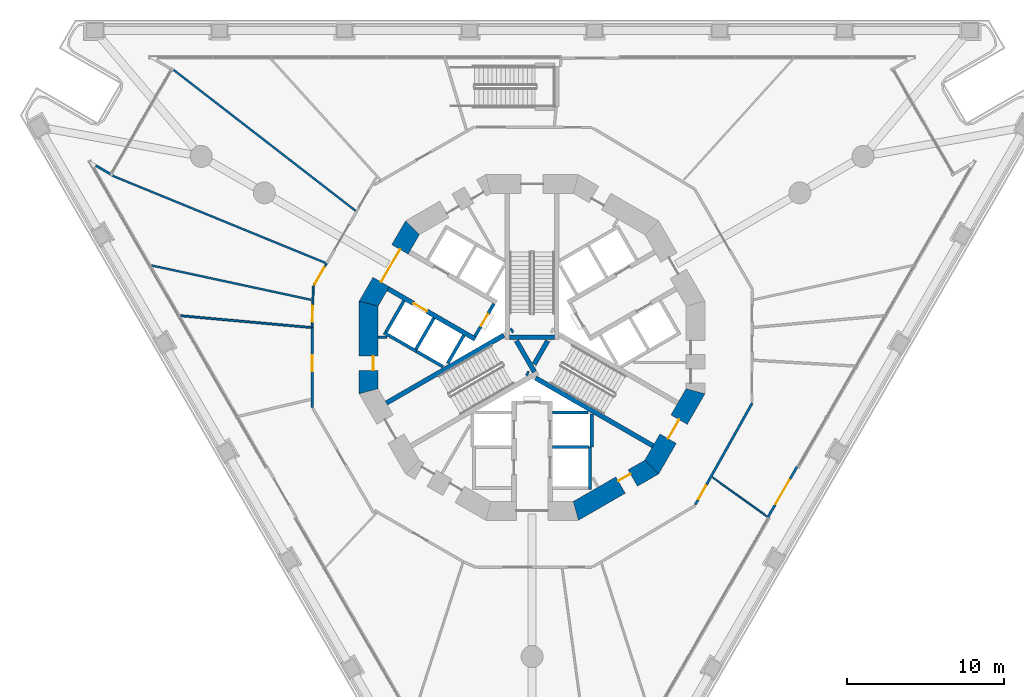
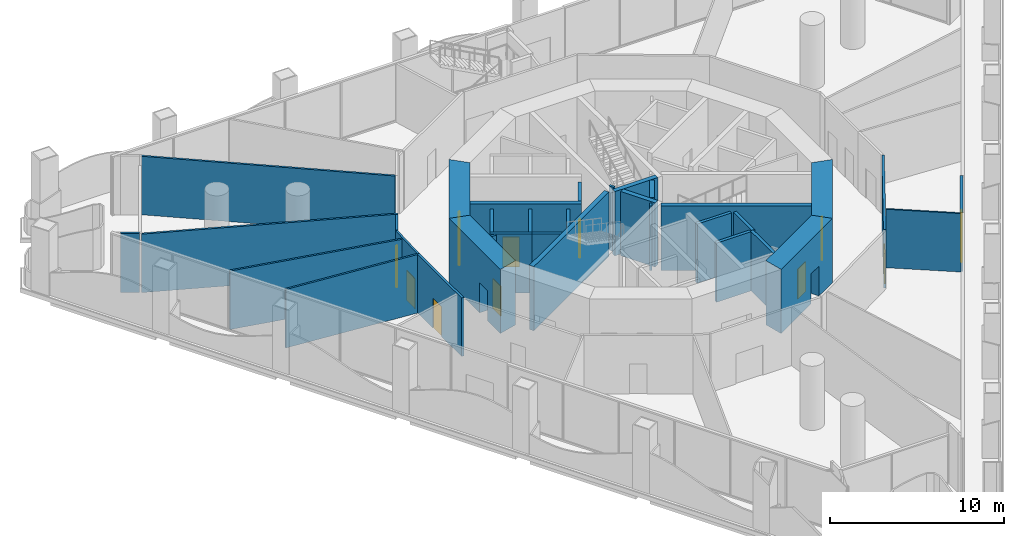
# One storey, part 11 of 22: 34 walls, 11 doors, 11 openings.
"""IFC4 building model written with IfcOpenShell, lengths in metres."""

from ifc_helpers import new_model, si_unit, direction, frame, frame_2d, origin, place, context, subcontext, project, spatial, polyline, rectangle, outline, extrude, material, layer, layer_set, type_object, element, fill, save


model = new_model("IFC4")

# Units and contexts
model_context = context("Model", 3, precision=1e-05, world=origin(), true_north=direction((0.0, 1.0)))
body_context = subcontext(model_context, "Body", "Model", "MODEL_VIEW")
ifc_project = project(units=[si_unit("LENGTHUNIT", "METRE"), si_unit("AREAUNIT", "SQUARE_METRE"), si_unit("VOLUMEUNIT", "CUBIC_METRE"), si_unit("PLANEANGLEUNIT", "RADIAN"), si_unit("MASSUNIT", "GRAM", prefix="KILO")], contexts=[model_context])

# Site, building, storey
site_placement = place(None, origin())
site = spatial("IfcSite", under=ifc_project, at=site_placement, CompositionType="ELEMENT")
building_placement = place(site_placement, origin())
building = spatial("IfcBuilding", under=site, at=building_placement, Name="Trine Commons Tower", CompositionType="ELEMENT")
storey_placement = place(building_placement, frame((0.0, 0.0, 22.5)))
storey = spatial("IfcBuildingStorey", under=building, at=storey_placement, Name="L04", CompositionType="ELEMENT", Elevation=22.5)

# Wall, opening, door
ifc_material_1 = material(Name="Plasterboard on steel stud", Category="steel")
ifc_layer_1 = layer(ifc_material_1, 0.14990234375)
ifc_layer_set_1 = layer_set([ifc_layer_1], Name="Plasterboard on steel stud")
wall_type_1 = type_object("IfcWallType", Name="Compartment wall 150 mm, EI 60", PredefinedType="PARTITIONING", material=ifc_layer_set_1)
wall_1_placement = place(storey_placement, frame((65.988525390625, 58.670654296875, 0.0), z_axis=(0.0, 0.0, 1.0), x_axis=(0.0, 1.0, 0.0)))
wall_1 = element("IfcWall", 1, at=wall_1_placement, inside=storey, type_object=wall_type_1, Name="Partition P4007", PredefinedType="PARTITIONING", context=body_context, shape_type="SweptSolid", body=[
    extrude(rectangle(XDim=5.0927734375, YDim=0.14990234375, at=frame_2d((2.54638671875, 0.0))), origin(), (0.0, 0.0, 1.0), 4.10009765625),
])
opening_1_placement = place(wall_1_placement, frame((2.31689453125, 0.0, 0.0)))
opening_1 = element("IfcOpeningElement", 2, at=opening_1_placement, cuts=wall_1, Name="Opening D-P401", PredefinedType="OPENING", context=body_context, shape_type="SweptSolid", body=[
    extrude(rectangle(XDim=1.0, YDim=2.10009765625, at=frame_2d((0.5, 1.050048828125))), frame((0.0, 0.0849609375, 0.0), z_axis=(0.0, -1.0, 0.0), x_axis=(1.0, 0.0, 0.0)), (0.0, 0.0, 1.0), 0.169921875),
])
ifc_material_2 = material(Name="Timber fire door set", Category="wood")
door_type_1 = type_object("IfcDoorType", Name="Single swing door 1000x2100, FD30S", OperationType="SINGLE_SWING_LEFT", PredefinedType="DOOR", material=ifc_material_2)
door_1_placement = place(opening_1_placement, origin())
door_1 = element("IfcDoor", 3, at=door_1_placement, inside=storey, type_object=door_type_1, Name="Door D-P401", OperationType="SINGLE_SWING_LEFT", OverallHeight=2.10009765625, OverallWidth=1.0, PredefinedType="DOOR", context=body_context, shape_type="SweptSolid", body=[
    extrude(rectangle(XDim=1.0, YDim=2.10009765625, at=frame_2d((0.5, 1.050048828125))), frame((0.0, 0.02490234375, 0.0), z_axis=(0.0, -1.0, 0.0), x_axis=(1.0, 0.0, 0.0)), (0.0, 0.0, 1.0), 0.050048828125),
])
fill(opening_1, door_1)

wall_2_placement = place(storey_placement, frame((94.023681640625, 58.95654296875, 0.0), z_axis=(0.0, 0.0, 1.0), x_axis=(-0.488869926634, -0.872356690141, 0.0)))
wall_2 = element("IfcWall", 4, at=wall_2_placement, inside=storey, type_object=wall_type_1, Name="Partition P4030", PredefinedType="PARTITIONING", context=body_context, shape_type="SweptSolid", body=[
    extrude(rectangle(XDim=7.41796875, YDim=0.14990234375, at=frame_2d((3.708984375, 0.0))), origin(), (0.0, 0.0, 1.0), 4.10009765625),
])
opening_2_placement = place(wall_2_placement, frame((6.025634765625, 0.0, 0.0)))
opening_2 = element("IfcOpeningElement", 5, at=opening_2_placement, cuts=wall_2, Name="Opening D-P413", PredefinedType="OPENING", context=body_context, shape_type="SweptSolid", body=[
    extrude(rectangle(XDim=1.0, YDim=2.10009765625, at=frame_2d((0.5, 1.050048828125))), frame((0.0, 0.0849609375, 0.0), z_axis=(0.0, -1.0, 0.0), x_axis=(1.0, 0.0, 0.0)), (0.0, 0.0, 1.0), 0.169921875),
])
door_2_placement = place(opening_2_placement, origin())
door_2 = element("IfcDoor", 6, at=door_2_placement, inside=storey, type_object=door_type_1, Name="Door D-P413", OperationType="SINGLE_SWING_LEFT", OverallHeight=2.10009765625, OverallWidth=1.0, PredefinedType="DOOR", context=body_context, shape_type="SweptSolid", body=[
    extrude(rectangle(XDim=1.0, YDim=2.10009765625, at=frame_2d((0.5, 1.050048828125))), frame((0.0, 0.02490234375, 0.0), z_axis=(0.0, -1.0, 0.0), x_axis=(1.0, 0.0, 0.0)), (0.0, 0.0, 1.0), 0.050048828125),
])
fill(opening_2, door_2)

# Wall
ifc_material_3 = material(Name="Plasterboard partition on steel studs", Category="steel")
ifc_layer_2 = layer(ifc_material_3, 0.14990234375)
ifc_layer_set_2 = layer_set([ifc_layer_2], Name="Plasterboard partition on steel studs")
wall_type_2 = type_object("IfcWallType", Name="Core room partition 150 mm, EI 60", PredefinedType="PARTITIONING", material=ifc_layer_set_2)
wall_3_placement = place(storey_placement, frame((70.18798828125, 63.14208984375, 0.0), z_axis=(0.0, 0.0, 1.0), x_axis=(1.0, 0.0, 0.0)))
element("IfcWall", 7, at=wall_3_placement, inside=storey, type_object=wall_type_2, Name="Core room partition L04", PredefinedType="PARTITIONING", context=body_context, shape_type="SweptSolid", body=[
    extrude(rectangle(XDim=0.571044921875, YDim=0.14990234375, at=frame_2d((0.28564453125, 0.0))), origin(), (0.0, 0.0, 1.0), 4.14990234375),
])

# Wall, opening, door
ifc_material_4 = material(Name="Aluminium-framed insulated wall panel", Category="aluminium")
ifc_layer_3 = layer(ifc_material_4, 0.14990234375)
ifc_layer_set_3 = layer_set([ifc_layer_3], Name="Aluminium-framed insulated wall panel")
wall_type_3 = type_object("IfcWallType", Name="Glazed entrance wall 150, EI 60", PredefinedType="SOLIDWALL", material=ifc_layer_set_3)
wall_4_placement = place(storey_placement, frame((96.876708984375, 54.89208984375, 0.0), z_axis=(0.0, 0.0, 1.0), x_axis=(-0.500029062817, -0.866008623709, 0.0)))
wall_4 = element("IfcWall", 8, at=wall_4_placement, inside=storey, type_object=wall_type_3, Name="Glazed entrance wall L04 F2 7", PredefinedType="SOLIDWALL", context=body_context, shape_type="SweptSolid", body=[
    extrude(rectangle(XDim=3.698974609375, YDim=0.14990234375, at=frame_2d((1.849609375, 0.0))), origin(), (0.0, 0.0, 1.0), 4.14990234375),
])
opening_3_placement = place(wall_4_placement, frame((0.949462890625, 0.0, 0.0)))
opening_3 = element("IfcOpeningElement", 9, at=opening_3_placement, cuts=wall_4, Name="Opening SD-L04-F2-07", PredefinedType="OPENING", context=body_context, shape_type="SweptSolid", body=[
    extrude(rectangle(XDim=1.800048828125, YDim=2.39990234375, at=frame_2d((0.89990234375, 1.199951171875))), frame((0.0, 0.0849609375, 0.0), z_axis=(0.0, -1.0, 0.0), x_axis=(1.0, 0.0, 0.0)), (0.0, 0.0, 1.0), 0.169921875),
])
ifc_material_5 = material(Name="Anodised aluminium frame with double glazing", Category="aluminium")
door_type_2 = type_object("IfcDoorType", Name="Sliding double door 1800x2400", OperationType="DOUBLE_DOOR_SLIDING", PredefinedType="DOOR", material=ifc_material_5)
door_3_placement = place(opening_3_placement, origin())
door_3 = element("IfcDoor", 10, at=door_3_placement, inside=storey, type_object=door_type_2, Name="Loggia door L04 F2 7", OperationType="DOUBLE_DOOR_SLIDING", OverallHeight=2.39990234375, OverallWidth=1.800048828125, PredefinedType="DOOR", context=body_context, shape_type="SweptSolid", body=[
    extrude(rectangle(XDim=1.800048828125, YDim=2.39990234375, at=frame_2d((0.89990234375, 1.199951171875))), frame((0.0, 0.02490234375, 0.0), z_axis=(0.0, -1.0, 0.0), x_axis=(1.0, 0.0, 0.0)), (0.0, 0.0, 1.0), 0.050048828125),
])
fill(opening_3, door_3)

# Wall
ifc_layer_4 = layer(ifc_material_4, 0.14990234375)
ifc_layer_set_4 = layer_set([ifc_layer_4], Name="Aluminium-framed insulated wall panel")
wall_type_4 = type_object("IfcWallType", Name="Glazed frame wall 150, EI 60", PredefinedType="SOLIDWALL", material=ifc_layer_set_4)
wall_5_placement = place(storey_placement, frame((52.074462890625, 74.159912109375, 0.0), z_axis=(0.0, 0.0, 1.0), x_axis=(0.865989100438, -0.500062873969, 0.0)))
element("IfcWall", 11, at=wall_5_placement, inside=storey, type_object=wall_type_4, Name="Glazed frame wall L04 R1", PredefinedType="SOLIDWALL", context=body_context, shape_type="SweptSolid", body=[
    extrude(outline(polyline([(0.1494140625, 0.074951171875), (0.1494140625, -0.074951171875), (1.235107421875, -0.074951171875), (1.235107421875, 0.074951171875), (0.1494140625, 0.074951171875)])), origin(), (0.0, 0.0, 1.0), 4.14990234375),
])

# Wall, opening, door
ifc_material_6 = material(Name="Fire-rated gypsum shaft wall system")
ifc_layer_5 = layer(ifc_material_6, 0.199951171875)
ifc_layer_set_5 = layer_set([ifc_layer_5], Name="Fire-rated gypsum shaft wall system")
wall_type_5 = type_object("IfcWallType", Name="Lobby end wall 200 mm, EI 120", PredefinedType="PARTITIONING", material=ifc_layer_set_5)
wall_6_placement = place(storey_placement, frame((77.569091796875, 65.2890625, 0.0), z_axis=(0.0, 0.0, 1.0), x_axis=(-0.50012165622, -0.865955154139, 0.0)))
wall_6 = element("IfcWall", 12, at=wall_6_placement, inside=storey, type_object=wall_type_5, Name="Lobby end wall L04", PredefinedType="PARTITIONING", context=body_context, shape_type="SweptSolid", body=[
    extrude(rectangle(XDim=2.39990234375, YDim=0.199951171875, at=frame_2d((1.199951171875, 0.0))), origin(), (0.0, 0.0, 1.0), 4.14990234375),
])
opening_4_placement = place(wall_6_placement, frame((0.749755859375, 0.0, 0.0)))
opening_4 = element("IfcOpeningElement", 13, at=opening_4_placement, cuts=wall_6, Name="Opening K07.07", PredefinedType="OPENING", context=body_context, shape_type="SweptSolid", body=[
    extrude(rectangle(XDim=0.89990234375, YDim=2.10009765625, at=frame_2d((0.449951171875, 1.050048828125))), frame((0.0, 0.10986328125, 0.0), z_axis=(0.0, -1.0, 0.0), x_axis=(1.0, 0.0, 0.0)), (0.0, 0.0, 1.0), 0.219970703125),
])
ifc_material_7 = material(Name="Steel door leaf, fire-rated", Category="steel")
door_type_3 = type_object("IfcDoorType", Name="Riser access door, single leaf 900 x 2100, FD60", OperationType="SINGLE_SWING_LEFT", PredefinedType="DOOR", material=ifc_material_7)
door_4_placement = place(opening_4_placement, frame((0.89990234375, 0.0, 0.0), z_axis=(0.0, 0.0, 1.0), x_axis=(-1.0, 0.0, 0.0)))
door_4 = element("IfcDoor", 14, at=door_4_placement, inside=storey, type_object=door_type_3, Name="Riser door, Mechanical riser L04", OperationType="SINGLE_SWING_RIGHT", OverallHeight=2.10009765625, OverallWidth=0.89990234375, PredefinedType="DOOR", context=body_context, shape_type="SweptSolid", body=[
    extrude(rectangle(XDim=0.89990234375, YDim=2.10009765625, at=frame_2d((0.449951171875, 1.050048828125))), frame((0.0, 0.02490234375, 0.0), z_axis=(0.0, -1.0, 0.0), x_axis=(1.0, 0.0, 0.0)), (0.0, 0.0, 1.0), 0.050048828125),
])
fill(opening_4, door_4)

# Wall
ifc_layer_6 = layer(ifc_material_1, 0.10009765625)
ifc_layer_set_6 = layer_set([ifc_layer_6], Name="Plasterboard on steel stud")
wall_type_6 = type_object("IfcWallType", Name="Partition wall 100 mm stud, not rated", PredefinedType="PARTITIONING", material=ifc_layer_set_6)
wall_7_placement = place(storey_placement, frame((91.494873046875, 54.226806640625, 0.0), z_axis=(0.0, 0.0, 1.0), x_axis=(0.811652375568, -0.584140754643, 0.0)))
element("IfcWall", 15, at=wall_7_placement, inside=storey, type_object=wall_type_6, Name="Partition P4032", PredefinedType="PARTITIONING", context=body_context, shape_type="SweptSolid", body=[
    extrude(rectangle(XDim=4.31494140625, YDim=0.10009765625, at=frame_2d((2.157470703125, 0.0))), origin(), (0.0, 0.0, 1.0), 4.10009765625),
])

# Wall, opening, door
ifc_material_8 = material(Name="Concrete C80/95", Category="concrete")
ifc_layer_7 = layer(ifc_material_8, 1.199951171875)
ifc_layer_set_7 = layer_set([ifc_layer_7], Name="Concrete C80/95")
wall_type_7 = type_object("IfcWallType", Name="RC shear wall 1200 mm, C80/95", PredefinedType="SHEAR", material=ifc_layer_set_7)
wall_8_placement = place(storey_placement, frame((72.45849609375, 70.260986328125, 0.0), z_axis=(0.0, 0.0, 1.0), x_axis=(-0.499979111662, -0.866037463336, 0.0)))
wall_8 = element("IfcWall", 16, at=wall_8_placement, inside=storey, type_object=wall_type_7, Name="Core wall CWA-06 L04", PredefinedType="SHEAR", context=body_context, shape_type="SweptSolid", body=[
    extrude(outline(polyline([(0.0, -0.60009765625), (5.901123046875, -0.60009765625), (5.57958984375, 0.60009765625), (0.321533203125, 0.60009765625), (0.0, -0.60009765625)])), origin(), (0.0, 0.0, 1.0), 4.5),
])
opening_5_placement = place(wall_8_placement, frame((1.75048828125, 0.0, 0.0)))
opening_5 = element("IfcOpeningElement", 17, at=opening_5_placement, cuts=wall_8, Name="Opening K07.06", PredefinedType="OPENING", context=body_context, shape_type="SweptSolid", body=[
    extrude(rectangle(XDim=2.39990234375, YDim=2.10009765625, at=frame_2d((1.199951171875, 1.050048828125))), frame((0.0, 0.60986328125, 0.0), z_axis=(0.0, -1.0, 0.0), x_axis=(1.0, 0.0, 0.0)), (0.0, 0.0, 1.0), 1.219970703125),
])
ifc_material_9 = material(Name="Steel door leaves, fire-rated", Category="steel")
door_type_4 = type_object("IfcDoorType", Name="Lobby door, double leaf 2400 x 2100, FD60", OperationType="DOUBLE_DOOR_SINGLE_SWING", PredefinedType="DOOR", material=ifc_material_9)
door_5_placement = place(opening_5_placement, origin())
door_5 = element("IfcDoor", 18, at=door_5_placement, inside=storey, type_object=door_type_4, Name="Lobby door, Passenger lift lobby B L04", OperationType="DOUBLE_DOOR_SINGLE_SWING", OverallHeight=2.10009765625, OverallWidth=2.39990234375, PredefinedType="DOOR", context=body_context, shape_type="SweptSolid", body=[
    extrude(rectangle(XDim=2.39990234375, YDim=2.10009765625, at=frame_2d((1.199951171875, 1.050048828125))), frame((0.0, 0.02490234375, 0.0), z_axis=(0.0, -1.0, 0.0), x_axis=(1.0, 0.0, 0.0)), (0.0, 0.0, 1.0), 0.050048828125),
])
fill(opening_5, door_5)

wall_9_placement = place(storey_placement, frame((69.58837890625, 65.450439453125, 0.0), z_axis=(0.0, 0.0, 1.0), x_axis=(0.0, -1.0, 0.0)))
wall_9 = element("IfcWall", 19, at=wall_9_placement, inside=storey, type_object=wall_type_7, Name="Core wall CWA-07 L04", PredefinedType="SHEAR", context=body_context, shape_type="SweptSolid", body=[
    extrude(outline(polyline([(0.0, -0.60009765625), (5.90087890625, -0.60009765625), (5.57958984375, 0.60009765625), (0.321533203125, 0.60009765625), (0.0, -0.60009765625)])), origin(), (0.0, 0.0, 1.0), 4.5),
])
opening_6_placement = place(wall_9_placement, frame((3.508544921875, 0.0, 0.0)))
opening_6 = element("IfcOpeningElement", 20, at=opening_6_placement, cuts=wall_9, Name="Opening K07.14", PredefinedType="OPENING", context=body_context, shape_type="SweptSolid", body=[
    extrude(rectangle(XDim=0.89990234375, YDim=2.10009765625, at=frame_2d((0.449951171875, 1.050048828125))), frame((0.0, 0.60986328125, 0.0), z_axis=(0.0, -1.0, 0.0), x_axis=(1.0, 0.0, 0.0)), (0.0, 0.0, 1.0), 1.219970703125),
])
door_type_5 = type_object("IfcDoorType", Name="Core room door, single leaf 900 x 2100, FD30S", OperationType="SINGLE_SWING_LEFT", PredefinedType="DOOR", material=ifc_material_7)
door_6_placement = place(opening_6_placement, origin())
door_6 = element("IfcDoor", 21, at=door_6_placement, inside=storey, type_object=door_type_5, Name="Door to Print room L04", OperationType="SINGLE_SWING_RIGHT", OverallHeight=2.10009765625, OverallWidth=0.89990234375, PredefinedType="DOOR", context=body_context, shape_type="SweptSolid", body=[
    extrude(rectangle(XDim=0.89990234375, YDim=2.10009765625, at=frame_2d((0.449951171875, 1.050048828125))), frame((0.0, 0.3251953125, 0.0), z_axis=(0.0, -1.0, 0.0), x_axis=(1.0, 0.0, 0.0)), (0.0, 0.0, 1.0), 0.050048828125),
])
fill(opening_6, door_6)

wall_10_placement = place(storey_placement, frame((82.650390625, 52.008056640625, 0.0), z_axis=(0.0, 0.0, 1.0), x_axis=(0.866037463336, 0.499979111662, 0.0)))
wall_10 = element("IfcWall", 22, at=wall_10_placement, inside=storey, type_object=wall_type_7, Name="Core wall CWA-11 L04", PredefinedType="SHEAR", context=body_context, shape_type="SweptSolid", body=[
    extrude(outline(polyline([(0.0, -0.60009765625), (5.901123046875, -0.60009765625), (5.57958984375, 0.60009765625), (0.321533203125, 0.60009765625), (0.0, -0.60009765625)])), origin(), (0.0, 0.0, 1.0), 4.5),
])
opening_7_placement = place(wall_10_placement, frame((3.44677734375, 0.0, 0.0)))
opening_7 = element("IfcOpeningElement", 23, at=opening_7_placement, cuts=wall_10, Name="Opening K07.17", PredefinedType="OPENING", context=body_context, shape_type="SweptSolid", body=[
    extrude(rectangle(XDim=0.89990234375, YDim=2.10009765625, at=frame_2d((0.449951171875, 1.050048828125))), frame((0.0, 0.60986328125, 0.0), z_axis=(0.0, -1.0, 0.0), x_axis=(1.0, 0.0, 0.0)), (0.0, 0.0, 1.0), 1.219970703125),
])
door_7_placement = place(opening_7_placement, origin())
door_7 = element("IfcDoor", 24, at=door_7_placement, inside=storey, type_object=door_type_5, Name="Door to Pantry L04", OperationType="SINGLE_SWING_RIGHT", OverallHeight=2.10009765625, OverallWidth=0.89990234375, PredefinedType="DOOR", context=body_context, shape_type="SweptSolid", body=[
    extrude(rectangle(XDim=0.89990234375, YDim=2.10009765625, at=frame_2d((0.449951171875, 1.050048828125))), frame((0.0, 0.3251953125, 0.0), z_axis=(0.0, -1.0, 0.0), x_axis=(1.0, 0.0, 0.0)), (0.0, 0.0, 1.0), 0.050048828125),
])
fill(opening_7, door_7)

wall_11_placement = place(storey_placement, frame((87.54150390625, 54.739013671875, 0.0), z_axis=(0.0, 0.0, 1.0), x_axis=(0.499979111662, 0.866037463336, 0.0)))
wall_11 = element("IfcWall", 25, at=wall_11_placement, inside=storey, type_object=wall_type_7, Name="Core wall CWA-12 L04", PredefinedType="SHEAR", context=body_context, shape_type="SweptSolid", body=[
    extrude(outline(polyline([(0.0, -0.60009765625), (5.901123046875, -0.60009765625), (5.57958984375, 0.60009765625), (0.321533203125, 0.60009765625), (0.0, -0.60009765625)])), origin(), (0.0, 0.0, 1.0), 4.5),
])
opening_8_placement = place(wall_11_placement, frame((2.25048828125, 0.0, 0.0)))
opening_8 = element("IfcOpeningElement", 26, at=opening_8_placement, cuts=wall_11, Name="Opening K07.03", PredefinedType="OPENING", context=body_context, shape_type="SweptSolid", body=[
    extrude(rectangle(XDim=1.39990234375, YDim=2.10009765625, at=frame_2d((0.699951171875, 1.050048828125))), frame((0.0, 0.60986328125, 0.0), z_axis=(0.0, -1.0, 0.0), x_axis=(1.0, 0.0, 0.0)), (0.0, 0.0, 1.0), 1.219970703125),
])
door_type_6 = type_object("IfcDoorType", Name="Stair door, double leaf 1400 x 2100, FD90", OperationType="DOUBLE_DOOR_SINGLE_SWING", PredefinedType="DOOR", material=ifc_material_9)
door_8_placement = place(opening_8_placement, origin())
door_8 = element("IfcDoor", 27, at=door_8_placement, inside=storey, type_object=door_type_6, Name="Stair door to Exit stair ST3A L04", OperationType="DOUBLE_DOOR_SINGLE_SWING", OverallHeight=2.10009765625, OverallWidth=1.39990234375, PredefinedType="DOOR", context=body_context, shape_type="SweptSolid", body=[
    extrude(rectangle(XDim=1.39990234375, YDim=2.10009765625, at=frame_2d((0.699951171875, 1.050048828125))), frame((0.0, 0.02490234375, 0.0), z_axis=(0.0, -1.0, 0.0), x_axis=(1.0, 0.0, 0.0)), (0.0, 0.0, 1.0), 0.050048828125),
])
fill(opening_8, door_8)

ifc_layer_8 = layer(ifc_material_8, 0.300048828125)
ifc_layer_set_8 = layer_set([ifc_layer_8], Name="Concrete C80/95")
wall_type_8 = type_object("IfcWallType", Name="RC shear wall 300 mm, C80/95", PredefinedType="SHEAR", material=ifc_layer_set_8)
wall_12_placement = place(storey_placement, frame((76.381103515625, 63.031005859375, 0.0), z_axis=(0.0, 0.0, 1.0), x_axis=(-0.866032150378, 0.499988314375, 0.0)))
wall_12 = element("IfcWall", 28, at=wall_12_placement, inside=storey, type_object=wall_type_8, Name="Core cross wall SWA-01 L04", PredefinedType="SHEAR", context=body_context, shape_type="SweptSolid", body=[
    extrude(rectangle(XDim=6.412353515625, YDim=0.300048828125, at=frame_2d((3.2060546875, 0.0))), origin(), (0.0, 0.0, 1.0), 4.5),
])
opening_9_placement = place(wall_12_placement, frame((3.55029296875, 0.0, 0.0)))
opening_9 = element("IfcOpeningElement", 29, at=opening_9_placement, cuts=wall_12, Name="Opening LD3", PredefinedType="OPENING", context=body_context, shape_type="SweptSolid", body=[
    extrude(rectangle(XDim=1.0, YDim=2.10009765625, at=frame_2d((0.5, 1.050048828125))), frame((0.0, 0.159912109375, 0.0), z_axis=(0.0, -1.0, 0.0), x_axis=(1.0, 0.0, 0.0)), (0.0, 0.0, 1.0), 0.320068359375),
])
ifc_material_10 = material(Name="Stainless steel sliding door leaves", Category="steel")
door_type_7 = type_object("IfcDoorType", Name="Lift landing door, centre-opening sliding 1000 x 2100, FD90", OperationType="DOUBLE_DOOR_SLIDING", PredefinedType="DOOR", material=ifc_material_10)
door_9_placement = place(opening_9_placement, origin())
door_9 = element("IfcDoor", 30, at=door_9_placement, inside=storey, type_object=door_type_7, Name="Lift landing door LR3 L04", OperationType="DOUBLE_DOOR_SLIDING", OverallHeight=2.10009765625, OverallWidth=1.0, PredefinedType="DOOR", context=body_context, shape_type="SweptSolid", body=[
    extrude(rectangle(XDim=1.0, YDim=2.10009765625, at=frame_2d((0.5, 1.050048828125))), frame((0.0, 0.02490234375, 0.0), z_axis=(0.0, -1.0, 0.0), x_axis=(1.0, 0.0, 0.0)), (0.0, 0.0, 1.0), 0.050048828125),
])
fill(opening_9, door_9)

# Walls
wall_13_placement = place(storey_placement, frame((78.199951171875, 63.280029296875, 0.0), z_axis=(0.0, 0.0, 1.0), x_axis=(-0.865965399159, -0.500103916661, 0.0)))
element("IfcWall", 31, at=wall_13_placement, inside=storey, type_object=wall_type_8, Name="Core cross wall SWA-07 L04", PredefinedType="SHEAR", context=body_context, shape_type="SweptSolid", body=[
    extrude(rectangle(XDim=8.642333984375, YDim=0.300048828125, at=frame_2d((4.3212890625, 0.0))), origin(), (0.0, 0.0, 1.0), 4.5),
])
wall_14_placement = place(storey_placement, frame((78.779052734375, 63.614013671875, 0.0), z_axis=(0.0, 0.0, 1.0), x_axis=(-0.867737973955, -0.497021939713, 0.0)))
element("IfcWall", 32, at=wall_14_placement, inside=storey, type_object=wall_type_8, Name="Core cross wall SWA-09 L04", PredefinedType="SHEAR", context=body_context, shape_type="SweptSolid", body=[
    extrude(rectangle(XDim=0.14892578125, YDim=0.300048828125, at=frame_2d((0.074462890625, 0.0))), origin(), (0.0, 0.0, 1.0), 4.5),
])
wall_15_placement = place(storey_placement, frame((79.0029296875, 62.926025390625, 0.0), z_axis=(0.0, 0.0, 1.0), x_axis=(0.499965247104, -0.866045467449, 0.0)))
element("IfcWall", 33, at=wall_15_placement, inside=storey, type_object=wall_type_8, Name="Core cross wall SWA-10 L04", PredefinedType="SHEAR", context=body_context, shape_type="SweptSolid", body=[
    extrude(rectangle(XDim=2.292236328125, YDim=0.300048828125, at=frame_2d((1.14599609375, 0.0))), origin(), (0.0, 0.0, 1.0), 4.5),
])
wall_16_placement = place(storey_placement, frame((79.64599609375, 60.885986328125, 0.0), z_axis=(0.0, 0.0, 1.0), x_axis=(0.867331893649, -0.497730234424, 0.0)))
element("IfcWall", 34, at=wall_16_placement, inside=storey, type_object=wall_type_8, Name="Core cross wall SWA-11 L04", PredefinedType="SHEAR", context=body_context, shape_type="SweptSolid", body=[
    extrude(rectangle(XDim=0.148681640625, YDim=0.300048828125, at=frame_2d((0.07421875, 0.0))), origin(), (0.0, 0.0, 1.0), 4.5),
])
wall_17_placement = place(storey_placement, frame((80.1298828125, 61.424072265625, 0.0), z_axis=(0.0, 0.0, 1.0), x_axis=(0.500014901547, 0.866016800201, 0.0)))
element("IfcWall", 35, at=wall_17_placement, inside=storey, type_object=wall_type_8, Name="Core cross wall SWA-12 L04", PredefinedType="SHEAR", context=body_context, shape_type="SweptSolid", body=[
    extrude(rectangle(XDim=1.734375, YDim=0.300048828125, at=frame_2d((0.8671875, 0.0))), origin(), (0.0, 0.0, 1.0), 4.5),
])
wall_18_placement = place(storey_placement, frame((80.22509765625, 60.552001953125, 0.0), z_axis=(0.0, 0.0, 1.0), x_axis=(0.865965399159, -0.500103916661, 0.0)))
element("IfcWall", 36, at=wall_18_placement, inside=storey, type_object=wall_type_8, Name="Core cross wall SWA-13 L04", PredefinedType="SHEAR", context=body_context, shape_type="SweptSolid", body=[
    extrude(rectangle(XDim=8.642333984375, YDim=0.300048828125, at=frame_2d((4.3212890625, 0.0))), origin(), (0.0, 0.0, 1.0), 4.5),
])
wall_19_placement = place(storey_placement, frame((81.425048828125, 63.15087890625, 0.0), z_axis=(0.0, 0.0, 1.0), x_axis=(-1.0, 0.0, 0.0)))
element("IfcWall", 37, at=wall_19_placement, inside=storey, type_object=wall_type_8, Name="Core cross wall SWA-16 L04", PredefinedType="SHEAR", context=body_context, shape_type="SweptSolid", body=[
    extrude(rectangle(XDim=2.85009765625, YDim=0.300048828125, at=frame_2d((1.425048828125, 0.0))), origin(), (0.0, 0.0, 1.0), 4.5),
])
ifc_layer_9 = layer(ifc_material_6, 0.199951171875)
ifc_layer_set_9 = layer_set([ifc_layer_9], Name="Fire-rated gypsum shaft wall system")
wall_type_9 = type_object("IfcWallType", Name="Shaft wall 200 mm, EI 120", PredefinedType="PARTITIONING", material=ifc_layer_set_9)
wall_20_placement = place(storey_placement, frame((71.844970703125, 65.47607421875, 0.0), z_axis=(0.0, 0.0, 1.0), x_axis=(-0.500136062276, -0.86594683394, 0.0)))
element("IfcWall", 38, at=wall_20_placement, inside=storey, type_object=wall_type_9, Name="Shaft wall L04", PredefinedType="PARTITIONING", context=body_context, shape_type="SweptSolid", body=[
    extrude(rectangle(XDim=2.299072265625, YDim=0.199951171875, at=frame_2d((1.1494140625, 0.0))), origin(), (0.0, 0.0, 1.0), 4.14990234375),
])
wall_21_placement = place(storey_placement, frame((72.637939453125, 62.248046875, 0.0), z_axis=(0.0, 0.0, 1.0), x_axis=(-0.866177122335, 0.499737123639, 0.0)))
element("IfcWall", 39, at=wall_21_placement, inside=storey, type_object=wall_type_9, Name="Shaft wall L04", PredefinedType="PARTITIONING", context=body_context, shape_type="SweptSolid", body=[
    extrude(rectangle(XDim=2.401123046875, YDim=0.199951171875, at=frame_2d((1.20068359375, 0.0))), origin(), (0.0, 0.0, 1.0), 4.14990234375),
])
wall_22_placement = place(storey_placement, frame((73.7509765625, 64.3759765625, 0.0), z_axis=(0.0, 0.0, 1.0), x_axis=(-0.500136062276, -0.86594683394, 0.0)))
element("IfcWall", 40, at=wall_22_placement, inside=storey, type_object=wall_type_9, Name="Shaft wall L04", PredefinedType="PARTITIONING", context=body_context, shape_type="SweptSolid", body=[
    extrude(rectangle(XDim=2.299072265625, YDim=0.199951171875, at=frame_2d((1.1494140625, 0.0))), origin(), (0.0, 0.0, 1.0), 4.14990234375),
])
wall_23_placement = place(storey_placement, frame((74.324951171875, 61.27294921875, 0.0), z_axis=(0.0, 0.0, 1.0), x_axis=(-0.865780634835, 0.500423712812, 0.0)))
element("IfcWall", 41, at=wall_23_placement, inside=storey, type_object=wall_type_9, Name="Shaft wall L04", PredefinedType="PARTITIONING", context=body_context, shape_type="SweptSolid", body=[
    extrude(rectangle(XDim=1.948486328125, YDim=0.199951171875, at=frame_2d((0.97412109375, 0.0))), origin(), (0.0, 0.0, 1.0), 4.14990234375),
])
wall_24_placement = place(storey_placement, frame((75.656005859375, 63.27587890625, 0.0), z_axis=(0.0, 0.0, 1.0), x_axis=(-0.500271688072, -0.86586848777, 0.0)))
element("IfcWall", 42, at=wall_24_placement, inside=storey, type_object=wall_type_9, Name="Shaft wall L04", PredefinedType="PARTITIONING", context=body_context, shape_type="SweptSolid", body=[
    extrude(rectangle(XDim=2.064697265625, YDim=0.199951171875, at=frame_2d((1.0322265625, 0.0))), origin(), (0.0, 0.0, 1.0), 4.14990234375),
])
wall_25_placement = place(storey_placement, frame((81.300048828125, 56.14990234375, 0.0), z_axis=(0.0, 0.0, 1.0), x_axis=(1.0, 0.0, 0.0)))
element("IfcWall", 43, at=wall_25_placement, inside=storey, type_object=wall_type_9, Name="Shaft wall L04", PredefinedType="PARTITIONING", context=body_context, shape_type="SweptSolid", body=[
    extrude(rectangle(XDim=2.300048828125, YDim=0.199951171875, at=frame_2d((1.14990234375, 0.0))), origin(), (0.0, 0.0, 1.0), 4.14990234375),
])
wall_26_placement = place(storey_placement, frame((81.300048828125, 58.35009765625, 0.0), z_axis=(0.0, 0.0, 1.0), x_axis=(1.0, 0.0, 0.0)))
element("IfcWall", 44, at=wall_26_placement, inside=storey, type_object=wall_type_9, Name="Shaft wall L04", PredefinedType="PARTITIONING", context=body_context, shape_type="SweptSolid", body=[
    extrude(rectangle(XDim=2.264892578125, YDim=0.199951171875, at=frame_2d((1.13232421875, 0.0))), origin(), (0.0, 0.0, 1.0), 4.14990234375),
])
wall_27_placement = place(storey_placement, frame((83.699951171875, 56.14990234375, 0.0), z_axis=(0.0, 0.0, 1.0), x_axis=(0.0, -1.0, 0.0)))
element("IfcWall", 45, at=wall_27_placement, inside=storey, type_object=wall_type_9, Name="Shaft wall L04", PredefinedType="PARTITIONING", context=body_context, shape_type="SweptSolid", body=[
    extrude(rectangle(XDim=2.699951171875, YDim=0.199951171875, at=frame_2d((1.35009765625, 0.0))), origin(), (0.0, 0.0, 1.0), 4.14990234375),
])
wall_28_placement = place(storey_placement, frame((83.800048828125, 58.256103515625, 0.0), z_axis=(0.0, 0.0, 1.0), x_axis=(0.0, -1.0, 0.0)))
element("IfcWall", 46, at=wall_28_placement, inside=storey, type_object=wall_type_9, Name="Shaft wall L04", PredefinedType="PARTITIONING", context=body_context, shape_type="SweptSolid", body=[
    extrude(rectangle(XDim=2.106201171875, YDim=0.199951171875, at=frame_2d((1.05322265625, 0.0))), origin(), (0.0, 0.0, 1.0), 4.14990234375),
])
ifc_layer_10 = layer(ifc_material_1, 0.125)
ifc_layer_set_10 = layer_set([ifc_layer_10], Name="Plasterboard on steel stud")
wall_type_10 = type_object("IfcWallType", Name="Wet wall 125 mm stud, not rated", PredefinedType="PARTITIONING", material=ifc_layer_set_10)
wall_29_placement = place(storey_placement, frame((53.2216796875, 73.45703125, 0.0), z_axis=(0.0, 0.0, 1.0), x_axis=(0.925517894673, -0.378703877243, 0.0)))
element("IfcWall", 47, at=wall_29_placement, inside=storey, type_object=wall_type_10, Name="Partition P4001", PredefinedType="PARTITIONING", context=body_context, shape_type="SweptSolid", body=[
    extrude(rectangle(XDim=14.855224609375, YDim=0.125, at=frame_2d((7.427734375, 0.0))), origin(), (0.0, 0.0, 1.0), 4.10009765625),
])
wall_30_placement = place(storey_placement, frame((55.756103515625, 67.722412109375, 0.0), z_axis=(0.0, 0.0, 1.0), x_axis=(0.977579027832, -0.210568858911, 0.0)))
element("IfcWall", 48, at=wall_30_placement, inside=storey, type_object=wall_type_10, Name="Partition P4002", PredefinedType="PARTITIONING", context=body_context, shape_type="SweptSolid", body=[
    extrude(rectangle(XDim=10.3896484375, YDim=0.125, at=frame_2d((5.19482421875, 0.0))), origin(), (0.0, 0.0, 1.0), 4.10009765625),
])
wall_31_placement = place(storey_placement, frame((57.121826171875, 80.212158203125, 0.0), z_axis=(0.0, 0.0, 1.0), x_axis=(0.790723966798, -0.612172858212, 0.0)))
element("IfcWall", 49, at=wall_31_placement, inside=storey, type_object=wall_type_10, Name="Partition P4003", PredefinedType="PARTITIONING", context=body_context, shape_type="SweptSolid", body=[
    extrude(rectangle(XDim=14.70849609375, YDim=0.125, at=frame_2d((7.354248046875, 0.0))), origin(), (0.0, 0.0, 1.0), 4.10009765625),
])
wall_32_placement = place(storey_placement, frame((57.60546875, 64.51904296875, 0.0), z_axis=(0.0, 0.0, 1.0), x_axis=(0.995960385984, -0.089793705514, 0.0)))
element("IfcWall", 50, at=wall_32_placement, inside=storey, type_object=wall_type_10, Name="Partition P4004", PredefinedType="PARTITIONING", context=body_context, shape_type="SweptSolid", body=[
    extrude(rectangle(XDim=8.336181640625, YDim=0.125, at=frame_2d((4.16796875, 0.0))), origin(), (0.0, 0.0, 1.0), 4.10009765625),
])

# Wall, opening, door
wall_33_placement = place(storey_placement, frame((65.988525390625, 63.76318359375, 0.0), z_axis=(0.0, 0.0, 1.0), x_axis=(0.027092077707, 0.999632942297, 0.0)))
wall_33 = element("IfcWall", 51, at=wall_33_placement, inside=storey, type_object=wall_type_10, Name="Partition P4009", PredefinedType="PARTITIONING", context=body_context, shape_type="SweptSolid", body=[
    extrude(rectangle(XDim=2.640380859375, YDim=0.125, at=frame_2d((1.3203125, 0.0))), origin(), (0.0, 0.0, 1.0), 4.10009765625),
])
opening_10_placement = place(wall_33_placement, frame((0.37744140625, 0.0, 0.0)))
opening_10 = element("IfcOpeningElement", 52, at=opening_10_placement, cuts=wall_33, Name="Opening D-P403", PredefinedType="OPENING", context=body_context, shape_type="SweptSolid", body=[
    extrude(rectangle(XDim=1.0, YDim=2.10009765625, at=frame_2d((0.5, 1.050048828125))), frame((0.0, 0.072509765625, 0.0), z_axis=(0.0, -1.0, 0.0), x_axis=(1.0, 0.0, 0.0)), (0.0, 0.0, 1.0), 0.14501953125),
])
ifc_material_11 = material(Name="Painted timber", Category="wood")
door_type_8 = type_object("IfcDoorType", Name="Single swing door 1000x2100, not rated", OperationType="SINGLE_SWING_LEFT", PredefinedType="DOOR", material=ifc_material_11)
door_10_placement = place(opening_10_placement, origin())
door_10 = element("IfcDoor", 53, at=door_10_placement, inside=storey, type_object=door_type_8, Name="Door D-P403", OperationType="SINGLE_SWING_LEFT", OverallHeight=2.10009765625, OverallWidth=1.0, PredefinedType="DOOR", context=body_context, shape_type="SweptSolid", body=[
    extrude(rectangle(XDim=1.0, YDim=2.10009765625, at=frame_2d((0.5, 1.050048828125))), frame((0.0, 0.02490234375, 0.0), z_axis=(0.0, -1.0, 0.0), x_axis=(1.0, 0.0, 0.0)), (0.0, 0.0, 1.0), 0.050048828125),
])
fill(opening_10, door_10)

wall_34_placement = place(storey_placement, frame((66.10498046875, 66.456298828125, 0.0), z_axis=(0.0, 0.0, 1.0), x_axis=(0.500050991752, 0.865995961681, 0.0)))
wall_34 = element("IfcWall", 54, at=wall_34_placement, inside=storey, type_object=wall_type_10, Name="Partition P4010", PredefinedType="PARTITIONING", context=body_context, shape_type="SweptSolid", body=[
    extrude(rectangle(XDim=1.543701171875, YDim=0.125, at=frame_2d((0.77197265625, 0.0))), origin(), (0.0, 0.0, 1.0), 4.10009765625),
])
opening_11_placement = place(wall_34_placement, frame((0.10009765625, 0.0, 0.0)))
opening_11 = element("IfcOpeningElement", 55, at=opening_11_placement, cuts=wall_34, Name="Opening D-P404", PredefinedType="OPENING", context=body_context, shape_type="SweptSolid", body=[
    extrude(rectangle(XDim=1.199951171875, YDim=2.10009765625, at=frame_2d((0.60009765625, 1.050048828125))), frame((0.0, 0.072509765625, 0.0), z_axis=(0.0, -1.0, 0.0), x_axis=(1.0, 0.0, 0.0)), (0.0, 0.0, 1.0), 0.14501953125),
])
door_type_9 = type_object("IfcDoorType", Name="Single swing door 1200x2100, not rated", OperationType="SINGLE_SWING_LEFT", PredefinedType="DOOR", material=ifc_material_11)
door_11_placement = place(opening_11_placement, origin())
door_11 = element("IfcDoor", 56, at=door_11_placement, inside=storey, type_object=door_type_9, Name="Door D-P404", OperationType="SINGLE_SWING_LEFT", OverallHeight=2.10009765625, OverallWidth=1.199951171875, PredefinedType="DOOR", context=body_context, shape_type="SweptSolid", body=[
    extrude(rectangle(XDim=1.199951171875, YDim=2.10009765625, at=frame_2d((0.60009765625, 1.050048828125))), frame((0.0, 0.02490234375, 0.0), z_axis=(0.0, -1.0, 0.0), x_axis=(1.0, 0.0, 0.0)), (0.0, 0.0, 1.0), 0.050048828125),
])
fill(opening_11, door_11)

save(model, "model.ifc")
